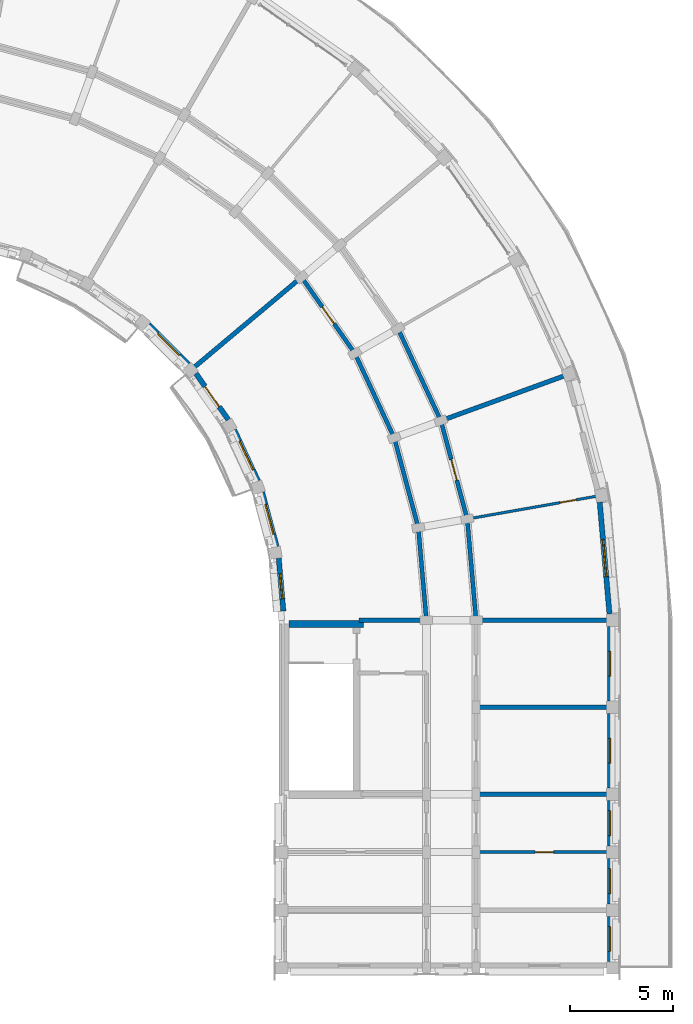
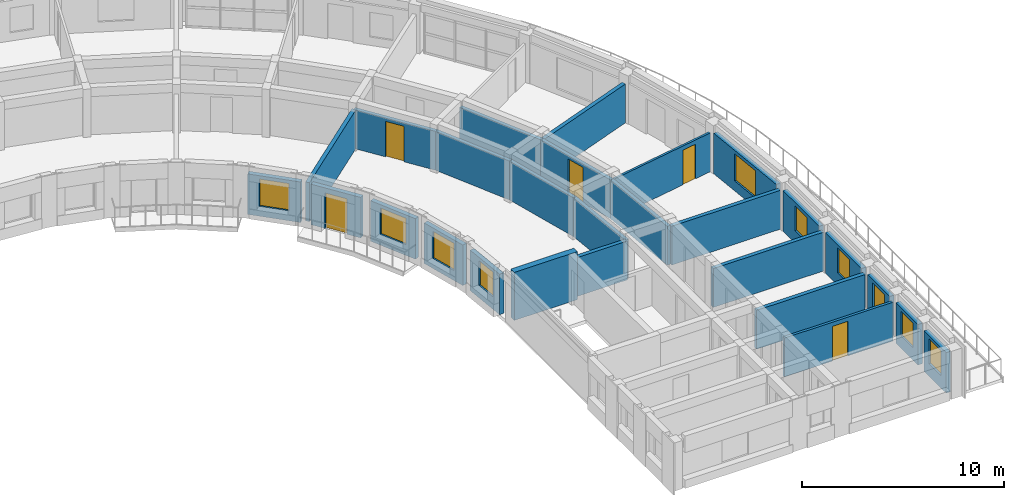
# One storey, part 20 of 32: 27 walls, 10 windows, 5 doors, 15 openings.
"""IFC4 building model written with IfcOpenShell, lengths in metres."""

from ifc_helpers import new_model, si_unit, direction, frame, frame_2d, origin, place, context, subcontext, project, spatial, rectangle, extrude, material, layer, layer_set, type_object, element, fill, save


model = new_model("IFC4")

# Units and contexts
model_context = context("Model", 3, precision=1e-05, world=origin(), true_north=direction((0.0, 1.0)))
body_context = subcontext(model_context, "Body", "Model", "MODEL_VIEW")
ifc_project = project(units=[si_unit("LENGTHUNIT", "METRE"), si_unit("AREAUNIT", "SQUARE_METRE"), si_unit("VOLUMEUNIT", "CUBIC_METRE"), si_unit("PLANEANGLEUNIT", "RADIAN"), si_unit("MASSUNIT", "GRAM", prefix="KILO")], contexts=[model_context])

# Site, building, storey
site_placement = place(None, origin())
site = spatial("IfcSite", under=ifc_project, at=site_placement, CompositionType="ELEMENT")
building_placement = place(site_placement, origin())
building = spatial("IfcBuilding", under=site, at=building_placement, Name="Kiranvali Square Residences", CompositionType="ELEMENT")
storey_placement = place(building_placement, frame((0.0, 0.0, 40.199951171875)))
storey = spatial("IfcBuildingStorey", under=building, at=storey_placement, Name="L12", CompositionType="ELEMENT", Elevation=40.199951171875)

# Wall, opening, door
ifc_material_1 = material(Name="Autoclaved aerated concrete blockwork masonry", Category="masonry")
ifc_layer_1 = layer(ifc_material_1, 0.199951171875)
ifc_layer_set_1 = layer_set([ifc_layer_1], Name="Autoclaved aerated concrete blockwork masonry")
wall_type_1 = type_object("IfcWallType", Name="WL-COR-200", PredefinedType="STANDARD", material=ifc_layer_set_1)
wall_1_placement = place(storey_placement, frame((139.56396484375, 104.384033203125, 0.0), z_axis=(0.0, 0.0, 1.0), x_axis=(0.573571637217, -0.819155404658, 0.0)))
wall_1 = element("IfcWall", 1, at=wall_1_placement, inside=storey, type_object=wall_type_1, Name="L12 architectural wall WL-L12-B-CCI-5", PredefinedType="STANDARD", context=body_context, shape_type="SweptSolid", body=[
    extrude(rectangle(XDim=4.497314453125, YDim=0.199951171875, at=frame_2d((2.24853515625, 0.0))), origin(), (0.0, 0.0, 1.0), 2.35205078125),
])
opening_1_placement = place(wall_1_placement, frame((1.74853515625, 0.0, 0.0)))
opening_1 = element("IfcOpeningElement", 2, at=opening_1_placement, cuts=wall_1, Name="Opening FD-APT-60", PredefinedType="OPENING", context=body_context, shape_type="SweptSolid", body=[
    extrude(rectangle(XDim=1.0, YDim=2.14990234375, at=frame_2d((0.5, 1.074951171875))), frame((0.0, 0.10986328125, 0.0), z_axis=(0.0, -1.0, 0.0), x_axis=(1.0, 0.0, 0.0)), (0.0, 0.0, 1.0), 0.219970703125),
])
ifc_material_2 = material(Name="Fire-rated acoustic hardwood and mineral-core door assembly", Category="wood")
door_type_1 = type_object("IfcDoorType", Name="DR-APT-1000", OperationType="NOTDEFINED", PredefinedType="DOOR", material=ifc_material_2)
door_1_placement = place(opening_1_placement, origin())
door_1 = element("IfcDoor", 3, at=door_1_placement, inside=storey, type_object=door_type_1, Name="L12 door DR-L12-1725 (DR-APT-1000)", OperationType="SINGLE_SWING_LEFT", OverallHeight=2.14990234375, OverallWidth=1.0, PredefinedType="DOOR", context=body_context, shape_type="SweptSolid", body=[
    extrude(rectangle(XDim=1.0, YDim=2.14990234375, at=frame_2d((0.5, 1.074951171875))), frame((0.0, 0.02490234375, 0.0), z_axis=(0.0, -1.0, 0.0), x_axis=(1.0, 0.0, 0.0)), (0.0, 0.0, 1.0), 0.050048828125),
])
fill(opening_1, door_1)

# Walls
wall_2_placement = place(storey_placement, frame((142.1435546875, 100.699951171875, 0.0), z_axis=(0.0, 0.0, 1.0), x_axis=(0.422617978463, -0.906307919131, 0.0)))
element("IfcWall", 4, at=wall_2_placement, inside=storey, type_object=wall_type_1, Name="L12 architectural wall WL-L12-B-CCI-6", PredefinedType="STANDARD", context=body_context, shape_type="SweptSolid", body=[
    extrude(rectangle(XDim=4.497314453125, YDim=0.199951171875, at=frame_2d((2.24853515625, 0.0))), origin(), (0.0, 0.0, 1.0), 2.35205078125),
])
wall_3_placement = place(storey_placement, frame((144.221923828125, 101.89990234375, 0.0), z_axis=(0.0, 0.0, 1.0), x_axis=(0.422629854778, -0.906302381024, 0.0)))
element("IfcWall", 5, at=wall_3_placement, inside=storey, type_object=wall_type_1, Name="L12 architectural wall WL-L12-B-CCO-6", PredefinedType="STANDARD", context=body_context, shape_type="SweptSolid", body=[
    extrude(rectangle(XDim=4.915283203125, YDim=0.199951171875, at=frame_2d((2.45751953125, 0.0))), origin(), (0.0, 0.0, 1.0), 2.35205078125),
])
wall_4_placement = place(storey_placement, frame((144.044189453125, 96.6240234375, 0.0), z_axis=(0.0, 0.0, 1.0), x_axis=(0.258787642463, -0.965934240054, 0.0)))
element("IfcWall", 6, at=wall_4_placement, inside=storey, type_object=wall_type_1, Name="L12 architectural wall WL-L12-B-CCI-7", PredefinedType="STANDARD", context=body_context, shape_type="SweptSolid", body=[
    extrude(rectangle(XDim=4.497314453125, YDim=0.199951171875, at=frame_2d((2.24853515625, 0.0))), origin(), (0.0, 0.0, 1.0), 2.35205078125),
])

# Wall, opening, door
wall_5_placement = place(storey_placement, frame((146.29931640625, 97.445068359375, 0.0), z_axis=(0.0, 0.0, 1.0), x_axis=(0.258803112091, -0.965930095386, 0.0)))
wall_5 = element("IfcWall", 7, at=wall_5_placement, inside=storey, type_object=wall_type_1, Name="L12 architectural wall WL-L12-B-CCO-7", PredefinedType="STANDARD", context=body_context, shape_type="SweptSolid", body=[
    extrude(rectangle(XDim=4.915771484375, YDim=0.199951171875, at=frame_2d((2.4580078125, 0.0))), origin(), (0.0, 0.0, 1.0), 2.35205078125),
])
opening_2_placement = place(wall_5_placement, frame((1.937744140625, 0.0, 0.0)))
opening_2 = element("IfcOpeningElement", 8, at=opening_2_placement, cuts=wall_5, Name="Opening FD-APT-60B", PredefinedType="OPENING", context=body_context, shape_type="SweptSolid", body=[
    extrude(rectangle(XDim=1.0400390625, YDim=2.14990234375, at=frame_2d((0.52001953125, 1.074951171875))), frame((0.0, 0.10986328125, 0.0), z_axis=(0.0, -1.0, 0.0), x_axis=(1.0, 0.0, 0.0)), (0.0, 0.0, 1.0), 0.219970703125),
])
door_type_2 = type_object("IfcDoorType", Name="DR-APT-1040", OperationType="NOTDEFINED", PredefinedType="DOOR", material=ifc_material_2)
door_2_placement = place(opening_2_placement, frame((1.0400390625, 0.0, 0.0), z_axis=(0.0, 0.0, 1.0), x_axis=(-1.0, 0.0, 0.0)))
door_2 = element("IfcDoor", 9, at=door_2_placement, inside=storey, type_object=door_type_2, Name="L12 door DR-L12-1722 (DR-APT-1040)", OperationType="SINGLE_SWING_RIGHT", OverallHeight=2.14990234375, OverallWidth=1.0400390625, PredefinedType="DOOR", context=body_context, shape_type="SweptSolid", body=[
    extrude(rectangle(XDim=1.0400390625, YDim=2.14990234375, at=frame_2d((0.52001953125, 1.074951171875))), frame((0.0, 0.02490234375, 0.0), z_axis=(0.0, -1.0, 0.0), x_axis=(1.0, 0.0, 0.0)), (0.0, 0.0, 1.0), 0.050048828125),
])
fill(opening_2, door_2)

# Walls
wall_6_placement = place(storey_placement, frame((145.2080078125, 92.280029296875, 0.0), z_axis=(0.0, 0.0, 1.0), x_axis=(0.087187153726, -0.996191949488, 0.0)))
element("IfcWall", 10, at=wall_6_placement, inside=storey, type_object=wall_type_1, Name="L12 architectural wall WL-L12-B-CCI-8", PredefinedType="STANDARD", context=body_context, shape_type="SweptSolid", body=[
    extrude(rectangle(XDim=4.4970703125, YDim=0.199951171875, at=frame_2d((2.24853515625, 0.0))), origin(), (0.0, 0.0, 1.0), 2.35205078125),
])
wall_7_placement = place(storey_placement, frame((147.571533203125, 92.69677734375, 0.0), z_axis=(0.0, 0.0, 1.0), x_axis=(0.087167566415, -0.996193663584, 0.0)))
element("IfcWall", 11, at=wall_7_placement, inside=storey, type_object=wall_type_1, Name="L12 architectural wall WL-L12-B-CCO-8", PredefinedType="STANDARD", context=body_context, shape_type="SweptSolid", body=[
    extrude(rectangle(XDim=4.91552734375, YDim=0.199951171875, at=frame_2d((2.457763671875, 0.0))), origin(), (0.0, 0.0, 1.0), 2.35205078125),
])
ifc_layer_2 = layer(ifc_material_1, 0.219970703125)
ifc_layer_set_2 = layer_set([ifc_layer_2], Name="Autoclaved aerated concrete blockwork masonry")
wall_type_2 = type_object("IfcWallType", Name="WL-DEM-220", PredefinedType="STANDARD", material=ifc_layer_set_2)
wall_8_placement = place(storey_placement, frame((134.354736328125, 100.012939453125, 0.0), z_axis=(0.0, 0.0, 1.0), x_axis=(0.766046761698, 0.642784846501, 0.0)))
element("IfcWall", 12, at=wall_8_placement, inside=storey, type_object=wall_type_2, Name="L12 architectural wall WL-L12-B-RADI-5", PredefinedType="STANDARD", context=body_context, shape_type="SweptSolid", body=[
    extrude(rectangle(XDim=6.75, YDim=0.219970703125, at=frame_2d((3.375, 0.0))), origin(), (0.0, 0.0, 1.0), 2.35205078125),
])
wall_9_placement = place(storey_placement, frame((146.393310546875, 97.479248046875, 0.0), z_axis=(0.0, 0.0, 1.0), x_axis=(0.939702855871, 0.341992021352, 0.0)))
element("IfcWall", 13, at=wall_9_placement, inside=storey, type_object=wall_type_2, Name="L12 architectural wall WL-L12-B-RADO-7", PredefinedType="STANDARD", context=body_context, shape_type="SweptSolid", body=[
    extrude(rectangle(XDim=6.219970703125, YDim=0.219970703125, at=frame_2d((3.10986328125, 0.0))), origin(), (0.0, 0.0, 1.0), 2.35205078125),
])
wall_10_placement = place(storey_placement, frame((142.35009765625, 87.800048828125, 0.0), z_axis=(0.0, 0.0, 1.0), x_axis=(1.0, 0.0, 0.0)))
element("IfcWall", 14, at=wall_10_placement, inside=storey, type_object=wall_type_2, Name="L12 architectural wall WL-L12-B-RADI-9", PredefinedType="STANDARD", context=body_context, shape_type="SweptSolid", body=[
    extrude(rectangle(XDim=3.199951171875, YDim=0.219970703125, at=frame_2d((1.60009765625, 0.0))), origin(), (0.0, 0.0, 1.0), 2.35205078125),
])
wall_11_placement = place(storey_placement, frame((148.10009765625, 87.800048828125, 0.0), z_axis=(0.0, 0.0, 1.0), x_axis=(1.0, 0.0, 0.0)))
element("IfcWall", 15, at=wall_11_placement, inside=storey, type_object=wall_type_2, Name="L12 architectural wall WL-L12-B-RADO-9", PredefinedType="STANDARD", context=body_context, shape_type="SweptSolid", body=[
    extrude(rectangle(XDim=6.219970703125, YDim=0.219970703125, at=frame_2d((3.10986328125, 0.0))), origin(), (0.0, 0.0, 1.0), 2.35205078125),
])
wall_12_placement = place(storey_placement, frame((148.050048828125, 83.60009765625, 0.0), z_axis=(0.0, 0.0, 1.0), x_axis=(1.0, 0.0, 0.0)))
element("IfcWall", 16, at=wall_12_placement, inside=storey, type_object=wall_type_2, Name="L12 architectural wall WL-L12-B-A2CF-MID", PredefinedType="STANDARD", context=body_context, shape_type="SweptSolid", body=[
    extrude(rectangle(XDim=6.329833984375, YDim=0.219970703125, at=frame_2d((3.1650390625, 0.0))), origin(), (0.0, 0.0, 1.0), 2.35205078125),
])
wall_13_placement = place(storey_placement, frame((148.10009765625, 79.39990234375, 0.0), z_axis=(0.0, 0.0, 1.0), x_axis=(1.0, 0.0, 0.0)))
element("IfcWall", 17, at=wall_13_placement, inside=storey, type_object=wall_type_2, Name="L12 architectural wall WL-L12-B-A2TO-0", PredefinedType="STANDARD", context=body_context, shape_type="SweptSolid", body=[
    extrude(rectangle(XDim=6.219970703125, YDim=0.219970703125, at=frame_2d((3.10986328125, 0.0))), origin(), (0.0, 0.0, 1.0), 2.35205078125),
])

# Wall, opening, window
ifc_material_3 = material(Name="Breathable lime-rendered clay brick masonry", Category="masonry")
ifc_layer_3 = layer(ifc_material_3, 0.25)
ifc_layer_set_3 = layer_set([ifc_layer_3], Name="Breathable lime-rendered clay brick masonry")
wall_type_3 = type_object("IfcWallType", Name="WL-EXT-250", PredefinedType="STANDARD", material=ifc_layer_set_3)
wall_14_placement = place(storey_placement, frame((153.97509765625, 93.507568359375, 0.0), z_axis=(0.0, 0.0, 1.0), x_axis=(0.087156882352, -0.996194598389, 0.0)))
wall_14 = element("IfcWall", 18, at=wall_14_placement, inside=storey, type_object=wall_type_3, Name="L12 exterior wall B-L12-CRV-08", PredefinedType="STANDARD", context=body_context, shape_type="SweptSolid", body=[
    extrude(rectangle(XDim=5.41455078125, YDim=0.25, at=frame_2d((2.707275390625, 0.0))), origin(), (0.0, 0.0, 1.0), 2.4521484375),
])
opening_3_placement = place(wall_14_placement, frame((1.807373046875, 0.0, 0.60205078125)))
opening_3 = element("IfcOpeningElement", 19, at=opening_3_placement, cuts=wall_14, Name="Opening W-04", PredefinedType="OPENING", context=body_context, shape_type="SweptSolid", body=[
    extrude(rectangle(XDim=1.800048828125, YDim=1.64990234375, at=frame_2d((0.89990234375, 0.824951171875))), frame((0.0, 0.135009765625, 0.0), z_axis=(0.0, -1.0, 0.0), x_axis=(1.0, 0.0, 0.0)), (0.0, 0.0, 1.0), 0.27001953125),
])
ifc_material_4 = material(Name="Solar-control low-e double glazing", Category="glass")
window_type_1 = type_object("IfcWindowType", Name="WIN-RES-1800x1650", PartitioningType="DOUBLE_PANEL_VERTICAL", PredefinedType="WINDOW", material=ifc_material_4)
window_1_placement = place(opening_3_placement, origin())
window_1 = element("IfcWindow", 20, at=window_1_placement, inside=storey, type_object=window_type_1, Name="L12 recessed window B-L12-CRV-08", OverallHeight=1.64990234375, OverallWidth=1.800048828125, PartitioningType="DOUBLE_PANEL_VERTICAL", PredefinedType="WINDOW", context=body_context, shape_type="SweptSolid", body=[
    extrude(rectangle(XDim=1.800048828125, YDim=1.64990234375, at=frame_2d((0.89990234375, 0.824951171875))), frame((0.0, 0.030029296875, 0.0), z_axis=(0.0, -1.0, 0.0), x_axis=(1.0, 0.0, 0.0)), (0.0, 0.0, 1.0), 0.06005859375),
])
fill(opening_3, window_1)

wall_15_placement = place(storey_placement, frame((132.169921875, 102.093017578125, 0.0), z_axis=(0.0, 0.0, 1.0), x_axis=(0.707106781187, -0.707106781187, 0.0)))
wall_15 = element("IfcWall", 21, at=wall_15_placement, inside=storey, type_object=wall_type_3, Name="L12 exterior wall B-L12-GDN-04", PredefinedType="STANDARD", context=body_context, shape_type="SweptSolid", body=[
    extrude(rectangle(XDim=2.7197265625, YDim=0.25, at=frame_2d((1.35986328125, 0.0))), origin(), (0.0, 0.0, 1.0), 2.4521484375),
])
opening_4_placement = place(wall_15_placement, frame((0.60986328125, 0.0, 0.60205078125)))
opening_4 = element("IfcOpeningElement", 22, at=opening_4_placement, cuts=wall_15, Name="Opening W-05", PredefinedType="OPENING", context=body_context, shape_type="SweptSolid", body=[
    extrude(rectangle(XDim=1.5, YDim=1.64990234375, at=frame_2d((0.75, 0.824951171875))), frame((0.0, 0.135009765625, 0.0), z_axis=(0.0, -1.0, 0.0), x_axis=(1.0, 0.0, 0.0)), (0.0, 0.0, 1.0), 0.27001953125),
])
window_type_2 = type_object("IfcWindowType", Name="WIN-RES-1500x1650", PartitioningType="DOUBLE_PANEL_VERTICAL", PredefinedType="WINDOW", material=ifc_material_4)
window_2_placement = place(opening_4_placement, origin())
window_2 = element("IfcWindow", 23, at=window_2_placement, inside=storey, type_object=window_type_2, Name="L12 recessed window B-L12-GDN-04", OverallHeight=1.64990234375, OverallWidth=1.5, PartitioningType="DOUBLE_PANEL_VERTICAL", PredefinedType="WINDOW", context=body_context, shape_type="SweptSolid", body=[
    extrude(rectangle(XDim=1.5, YDim=1.64990234375, at=frame_2d((0.75, 0.824951171875))), frame((0.0, 0.030029296875, 0.0), z_axis=(0.0, -1.0, 0.0), x_axis=(1.0, 0.0, 0.0)), (0.0, 0.0, 1.0), 0.06005859375),
])
fill(opening_4, window_2)

# Wall, opening, door
wall_16_placement = place(storey_placement, frame((134.4638671875, 99.727783203125, 0.0), z_axis=(0.0, 0.0, 1.0), x_axis=(0.573612950921, -0.819126475299, 0.0)))
wall_16 = element("IfcWall", 24, at=wall_16_placement, inside=storey, type_object=wall_type_3, Name="L12 exterior wall B-L12-GDN-05", PredefinedType="STANDARD", context=body_context, shape_type="SweptSolid", body=[
    extrude(rectangle(XDim=2.7197265625, YDim=0.25, at=frame_2d((1.35986328125, 0.0))), origin(), (0.0, 0.0, 1.0), 2.4521484375),
])
opening_5_placement = place(wall_16_placement, frame((0.759765625, 0.0, 0.0)))
opening_5 = element("IfcOpeningElement", 25, at=opening_5_placement, cuts=wall_16, Name="Opening ED-BAL-1", PredefinedType="OPENING", context=body_context, shape_type="SweptSolid", body=[
    extrude(rectangle(XDim=1.199951171875, YDim=2.14990234375, at=frame_2d((0.60009765625, 1.074951171875))), frame((0.0, 0.135009765625, 0.0), z_axis=(0.0, -1.0, 0.0), x_axis=(1.0, 0.0, 0.0)), (0.0, 0.0, 1.0), 0.27001953125),
])
ifc_material_5 = material(Name="Anodised bronze aluminium framing", Category="aluminium")
door_type_3 = type_object("IfcDoorType", Name="DR-BAL-1200", OperationType="NOTDEFINED", PredefinedType="DOOR", material=ifc_material_5)
door_3_placement = place(opening_5_placement, frame((1.199951171875, 0.0, 0.0), z_axis=(0.0, 0.0, 1.0), x_axis=(-1.0, 0.0, 0.0)))
door_3 = element("IfcDoor", 26, at=door_3_placement, inside=storey, type_object=door_type_3, Name="L12 balcony terrace door", OperationType="SINGLE_SWING_LEFT", OverallHeight=2.14990234375, OverallWidth=1.199951171875, PredefinedType="DOOR", context=body_context, shape_type="SweptSolid", body=[
    extrude(rectangle(XDim=1.199951171875, YDim=2.14990234375, at=frame_2d((0.60009765625, 1.074951171875))), frame((0.0, 0.02490234375, 0.0), z_axis=(0.0, -1.0, 0.0), x_axis=(1.0, 0.0, 0.0)), (0.0, 0.0, 1.0), 0.050048828125),
])
fill(opening_5, door_3)

# Wall, opening, window
wall_17_placement = place(storey_placement, frame((136.312255859375, 97.000244140625, 0.0), z_axis=(0.0, 0.0, 1.0), x_axis=(0.422629903269, -0.906302358412, 0.0)))
wall_17 = element("IfcWall", 27, at=wall_17_placement, inside=storey, type_object=wall_type_3, Name="L12 exterior wall B-L12-GDN-06", PredefinedType="STANDARD", context=body_context, shape_type="SweptSolid", body=[
    extrude(rectangle(XDim=2.7197265625, YDim=0.25, at=frame_2d((1.35986328125, 0.0))), origin(), (0.0, 0.0, 1.0), 2.4521484375),
])
opening_6_placement = place(wall_17_placement, frame((0.5849609375, 0.0, 0.652099609375)))
opening_6 = element("IfcOpeningElement", 28, at=opening_6_placement, cuts=wall_17, Name="Opening W-18", PredefinedType="OPENING", context=body_context, shape_type="SweptSolid", body=[
    extrude(rectangle(XDim=1.550048828125, YDim=1.60009765625, at=frame_2d((0.77490234375, 0.800048828125))), frame((0.0, 0.135009765625, 0.0), z_axis=(0.0, -1.0, 0.0), x_axis=(1.0, 0.0, 0.0)), (0.0, 0.0, 1.0), 0.27001953125),
])
window_type_3 = type_object("IfcWindowType", Name="WIN-GDN-1550x1600", PartitioningType="DOUBLE_PANEL_VERTICAL", PredefinedType="WINDOW", material=ifc_material_4)
window_3_placement = place(opening_6_placement, origin())
window_3 = element("IfcWindow", 29, at=window_3_placement, inside=storey, type_object=window_type_3, Name="L12 recessed window B-L12-GDN-06", OverallHeight=1.60009765625, OverallWidth=1.550048828125, PartitioningType="DOUBLE_PANEL_VERTICAL", PredefinedType="WINDOW", context=body_context, shape_type="SweptSolid", body=[
    extrude(rectangle(XDim=1.550048828125, YDim=1.60009765625, at=frame_2d((0.77490234375, 0.800048828125))), frame((0.0, 0.030029296875, 0.0), z_axis=(0.0, -1.0, 0.0), x_axis=(1.0, 0.0, 0.0)), (0.0, 0.0, 1.0), 0.06005859375),
])
fill(opening_6, window_3)

wall_18_placement = place(storey_placement, frame((137.6591796875, 93.9931640625, 0.0), z_axis=(0.0, 0.0, 1.0), x_axis=(0.258807879411, -0.965928818058, 0.0)))
wall_18 = element("IfcWall", 30, at=wall_18_placement, inside=storey, type_object=wall_type_3, Name="L12 exterior wall B-L12-GDN-07", PredefinedType="STANDARD", context=body_context, shape_type="SweptSolid", body=[
    extrude(rectangle(XDim=2.7197265625, YDim=0.25, at=frame_2d((1.35986328125, 0.0))), origin(), (0.0, 0.0, 1.0), 2.4521484375),
])
opening_7_placement = place(wall_18_placement, frame((0.60986328125, 0.0, 0.60205078125)))
opening_7 = element("IfcOpeningElement", 31, at=opening_7_placement, cuts=wall_18, Name="Opening W-05", PredefinedType="OPENING", context=body_context, shape_type="SweptSolid", body=[
    extrude(rectangle(XDim=1.5, YDim=1.64990234375, at=frame_2d((0.75, 0.824951171875))), frame((0.0, 0.135009765625, 0.0), z_axis=(0.0, -1.0, 0.0), x_axis=(1.0, 0.0, 0.0)), (0.0, 0.0, 1.0), 0.27001953125),
])
window_4_placement = place(opening_7_placement, origin())
window_4 = element("IfcWindow", 32, at=window_4_placement, inside=storey, type_object=window_type_2, Name="L12 recessed window B-L12-GDN-07", OverallHeight=1.64990234375, OverallWidth=1.5, PartitioningType="DOUBLE_PANEL_VERTICAL", PredefinedType="WINDOW", context=body_context, shape_type="SweptSolid", body=[
    extrude(rectangle(XDim=1.5, YDim=1.64990234375, at=frame_2d((0.75, 0.824951171875))), frame((0.0, 0.030029296875, 0.0), z_axis=(0.0, -1.0, 0.0), x_axis=(1.0, 0.0, 0.0)), (0.0, 0.0, 1.0), 0.06005859375),
])
fill(opening_7, window_4)

wall_19_placement = place(storey_placement, frame((138.463134765625, 90.7978515625, 0.0), z_axis=(0.0, 0.0, 1.0), x_axis=(0.087222589008, -0.996188847542, 0.0)))
wall_19 = element("IfcWall", 33, at=wall_19_placement, inside=storey, type_object=wall_type_3, Name="L12 exterior wall B-L12-GDN-08", PredefinedType="STANDARD", context=body_context, shape_type="SweptSolid", body=[
    extrude(rectangle(XDim=2.558349609375, YDim=0.25, at=frame_2d((1.279296875, 0.0))), origin(), (0.0, 0.0, 1.0), 2.4521484375),
])
opening_8_placement = place(wall_19_placement, frame((0.759765625, 0.0, 0.751953125)))
opening_8 = element("IfcOpeningElement", 34, at=opening_8_placement, cuts=wall_19, Name="Opening W-06", PredefinedType="OPENING", context=body_context, shape_type="SweptSolid", body=[
    extrude(rectangle(XDim=1.199951171875, YDim=1.5, at=frame_2d((0.60009765625, 0.75))), frame((0.0, 0.135009765625, 0.0), z_axis=(0.0, -1.0, 0.0), x_axis=(1.0, 0.0, 0.0)), (0.0, 0.0, 1.0), 0.27001953125),
])
window_type_4 = type_object("IfcWindowType", Name="WIN-RES-1200x1500", PartitioningType="SINGLE_PANEL", PredefinedType="WINDOW", material=ifc_material_4)
window_5_placement = place(opening_8_placement, origin())
window_5 = element("IfcWindow", 35, at=window_5_placement, inside=storey, type_object=window_type_4, Name="L12 recessed window B-L12-GDN-08", OverallHeight=1.5, OverallWidth=1.199951171875, PartitioningType="SINGLE_PANEL", PredefinedType="WINDOW", context=body_context, shape_type="SweptSolid", body=[
    extrude(rectangle(XDim=1.199951171875, YDim=1.5, at=frame_2d((0.60009765625, 0.75))), frame((0.0, 0.030029296875, 0.0), z_axis=(0.0, -1.0, 0.0), x_axis=(1.0, 0.0, 0.0)), (0.0, 0.0, 1.0), 0.06005859375),
])
fill(opening_8, window_5)

wall_20_placement = place(storey_placement, frame((154.47509765625, 87.49658203125, 0.0), z_axis=(0.0, 0.0, 1.0), x_axis=(0.0, -1.0, 0.0)))
wall_20 = element("IfcWall", 36, at=wall_20_placement, inside=storey, type_object=wall_type_3, Name="L12 exterior wall B-L12-A2O-0", PredefinedType="STANDARD", context=body_context, shape_type="SweptSolid", body=[
    extrude(rectangle(XDim=3.593017578125, YDim=0.25, at=frame_2d((1.79638671875, 0.0))), origin(), (0.0, 0.0, 1.0), 2.4521484375),
])
opening_9_placement = place(wall_20_placement, frame((1.196533203125, 0.0, 0.751953125)))
opening_9 = element("IfcOpeningElement", 37, at=opening_9_placement, cuts=wall_20, Name="Opening W-06", PredefinedType="OPENING", context=body_context, shape_type="SweptSolid", body=[
    extrude(rectangle(XDim=1.199951171875, YDim=1.5, at=frame_2d((0.60009765625, 0.75))), frame((0.0, 0.135009765625, 0.0), z_axis=(0.0, -1.0, 0.0), x_axis=(1.0, 0.0, 0.0)), (0.0, 0.0, 1.0), 0.27001953125),
])
window_6_placement = place(opening_9_placement, origin())
window_6 = element("IfcWindow", 38, at=window_6_placement, inside=storey, type_object=window_type_4, Name="L12 recessed window B-L12-A2O-0", OverallHeight=1.5, OverallWidth=1.199951171875, PartitioningType="SINGLE_PANEL", PredefinedType="WINDOW", context=body_context, shape_type="SweptSolid", body=[
    extrude(rectangle(XDim=1.199951171875, YDim=1.5, at=frame_2d((0.60009765625, 0.75))), frame((0.0, 0.030029296875, 0.0), z_axis=(0.0, -1.0, 0.0), x_axis=(1.0, 0.0, 0.0)), (0.0, 0.0, 1.0), 0.06005859375),
])
fill(opening_9, window_6)

wall_21_placement = place(storey_placement, frame((154.47509765625, 83.29638671875, 0.0), z_axis=(0.0, 0.0, 1.0), x_axis=(0.0, -1.0, 0.0)))
wall_21 = element("IfcWall", 39, at=wall_21_placement, inside=storey, type_object=wall_type_3, Name="L12 exterior wall B-L12-A2O-1", PredefinedType="STANDARD", context=body_context, shape_type="SweptSolid", body=[
    extrude(rectangle(XDim=3.5927734375, YDim=0.25, at=frame_2d((1.79638671875, 0.0))), origin(), (0.0, 0.0, 1.0), 2.4521484375),
])
opening_10_placement = place(wall_21_placement, frame((1.196533203125, 0.0, 0.751953125)))
opening_10 = element("IfcOpeningElement", 40, at=opening_10_placement, cuts=wall_21, Name="Opening W-06", PredefinedType="OPENING", context=body_context, shape_type="SweptSolid", body=[
    extrude(rectangle(XDim=1.199951171875, YDim=1.5, at=frame_2d((0.60009765625, 0.75))), frame((0.0, 0.135009765625, 0.0), z_axis=(0.0, -1.0, 0.0), x_axis=(1.0, 0.0, 0.0)), (0.0, 0.0, 1.0), 0.27001953125),
])
window_7_placement = place(opening_10_placement, origin())
window_7 = element("IfcWindow", 41, at=window_7_placement, inside=storey, type_object=window_type_4, Name="L12 recessed window B-L12-A2O-1", OverallHeight=1.5, OverallWidth=1.199951171875, PartitioningType="SINGLE_PANEL", PredefinedType="WINDOW", context=body_context, shape_type="SweptSolid", body=[
    extrude(rectangle(XDim=1.199951171875, YDim=1.5, at=frame_2d((0.60009765625, 0.75))), frame((0.0, 0.030029296875, 0.0), z_axis=(0.0, -1.0, 0.0), x_axis=(1.0, 0.0, 0.0)), (0.0, 0.0, 1.0), 0.06005859375),
])
fill(opening_10, window_7)

wall_22_placement = place(storey_placement, frame((154.47509765625, 79.096435546875, 0.0), z_axis=(0.0, 0.0, 1.0), x_axis=(0.0, -1.0, 0.0)))
wall_22 = element("IfcWall", 42, at=wall_22_placement, inside=storey, type_object=wall_type_3, Name="L12 exterior wall B-L12-A2O-2", PredefinedType="STANDARD", context=body_context, shape_type="SweptSolid", body=[
    extrude(rectangle(XDim=2.19287109375, YDim=0.25, at=frame_2d((1.096435546875, 0.0))), origin(), (0.0, 0.0, 1.0), 2.4521484375),
])
opening_11_placement = place(wall_22_placement, frame((0.49658203125, 0.0, 0.751953125)))
opening_11 = element("IfcOpeningElement", 43, at=opening_11_placement, cuts=wall_22, Name="Opening W-06", PredefinedType="OPENING", context=body_context, shape_type="SweptSolid", body=[
    extrude(rectangle(XDim=1.199951171875, YDim=1.5, at=frame_2d((0.60009765625, 0.75))), frame((0.0, 0.135009765625, 0.0), z_axis=(0.0, -1.0, 0.0), x_axis=(1.0, 0.0, 0.0)), (0.0, 0.0, 1.0), 0.27001953125),
])
window_8_placement = place(opening_11_placement, origin())
window_8 = element("IfcWindow", 44, at=window_8_placement, inside=storey, type_object=window_type_4, Name="L12 recessed window B-L12-A2O-2", OverallHeight=1.5, OverallWidth=1.199951171875, PartitioningType="SINGLE_PANEL", PredefinedType="WINDOW", context=body_context, shape_type="SweptSolid", body=[
    extrude(rectangle(XDim=1.199951171875, YDim=1.5, at=frame_2d((0.60009765625, 0.75))), frame((0.0, 0.030029296875, 0.0), z_axis=(0.0, -1.0, 0.0), x_axis=(1.0, 0.0, 0.0)), (0.0, 0.0, 1.0), 0.06005859375),
])
fill(opening_11, window_8)

wall_23_placement = place(storey_placement, frame((154.47509765625, 76.29638671875, 0.0), z_axis=(0.0, 0.0, 1.0), x_axis=(0.0, -1.0, 0.0)))
wall_23 = element("IfcWall", 45, at=wall_23_placement, inside=storey, type_object=wall_type_3, Name="L12 exterior wall B-L12-A2O-3", PredefinedType="STANDARD", context=body_context, shape_type="SweptSolid", body=[
    extrude(rectangle(XDim=2.19287109375, YDim=0.25, at=frame_2d((1.096435546875, 0.0))), origin(), (0.0, 0.0, 1.0), 2.4521484375),
])
opening_12_placement = place(wall_23_placement, frame((0.49658203125, 0.0, 0.751953125)))
opening_12 = element("IfcOpeningElement", 46, at=opening_12_placement, cuts=wall_23, Name="Opening W-06", PredefinedType="OPENING", context=body_context, shape_type="SweptSolid", body=[
    extrude(rectangle(XDim=1.199951171875, YDim=1.5, at=frame_2d((0.60009765625, 0.75))), frame((0.0, 0.135009765625, 0.0), z_axis=(0.0, -1.0, 0.0), x_axis=(1.0, 0.0, 0.0)), (0.0, 0.0, 1.0), 0.27001953125),
])
window_9_placement = place(opening_12_placement, origin())
window_9 = element("IfcWindow", 47, at=window_9_placement, inside=storey, type_object=window_type_4, Name="L12 recessed window B-L12-A2O-3", OverallHeight=1.5, OverallWidth=1.199951171875, PartitioningType="SINGLE_PANEL", PredefinedType="WINDOW", context=body_context, shape_type="SweptSolid", body=[
    extrude(rectangle(XDim=1.199951171875, YDim=1.5, at=frame_2d((0.60009765625, 0.75))), frame((0.0, 0.030029296875, 0.0), z_axis=(0.0, -1.0, 0.0), x_axis=(1.0, 0.0, 0.0)), (0.0, 0.0, 1.0), 0.06005859375),
])
fill(opening_12, window_9)

wall_24_placement = place(storey_placement, frame((154.47509765625, 73.49658203125, 0.0), z_axis=(0.0, 0.0, 1.0), x_axis=(0.0, -1.0, 0.0)))
wall_24 = element("IfcWall", 48, at=wall_24_placement, inside=storey, type_object=wall_type_3, Name="L12 exterior wall B-L12-A2O-4", PredefinedType="STANDARD", context=body_context, shape_type="SweptSolid", body=[
    extrude(rectangle(XDim=2.193115234375, YDim=0.25, at=frame_2d((1.0966796875, 0.0))), origin(), (0.0, 0.0, 1.0), 2.4521484375),
])
opening_13_placement = place(wall_24_placement, frame((0.49658203125, 0.0, 0.751953125)))
opening_13 = element("IfcOpeningElement", 49, at=opening_13_placement, cuts=wall_24, Name="Opening W-06", PredefinedType="OPENING", context=body_context, shape_type="SweptSolid", body=[
    extrude(rectangle(XDim=1.199951171875, YDim=1.5, at=frame_2d((0.60009765625, 0.75))), frame((0.0, 0.135009765625, 0.0), z_axis=(0.0, -1.0, 0.0), x_axis=(1.0, 0.0, 0.0)), (0.0, 0.0, 1.0), 0.27001953125),
])
window_10_placement = place(opening_13_placement, origin())
window_10 = element("IfcWindow", 50, at=window_10_placement, inside=storey, type_object=window_type_4, Name="L12 recessed window B-L12-A2O-4", OverallHeight=1.5, OverallWidth=1.199951171875, PartitioningType="SINGLE_PANEL", PredefinedType="WINDOW", context=body_context, shape_type="SweptSolid", body=[
    extrude(rectangle(XDim=1.199951171875, YDim=1.5, at=frame_2d((0.60009765625, 0.75))), frame((0.0, 0.030029296875, 0.0), z_axis=(0.0, -1.0, 0.0), x_axis=(1.0, 0.0, 0.0)), (0.0, 0.0, 1.0), 0.06005859375),
])
fill(opening_13, window_10)

# Wall, opening, door
ifc_material_6 = material(Name="Acoustic gypsum board drylined partition", Category="gypsum")
ifc_layer_4 = layer(ifc_material_6, 0.125)
ifc_layer_set_4 = layer_set([ifc_layer_4], Name="Acoustic gypsum board drylined partition")
wall_type_4 = type_object("IfcWallType", Name="WL-PRT-125", PredefinedType="PARTITIONING", material=ifc_layer_set_4)
wall_25_placement = place(storey_placement, frame((147.670166015625, 92.71435546875, 0.0), z_axis=(0.0, 0.0, 1.0), x_axis=(0.98480804799, 0.173646504755, 0.0)))
wall_25 = element("IfcWall", 51, at=wall_25_placement, inside=storey, type_object=wall_type_4, Name="L12 architectural wall WL-L12-B-RADO-8", PredefinedType="PARTITIONING", context=body_context, shape_type="SweptSolid", body=[
    extrude(rectangle(XDim=6.219970703125, YDim=0.125, at=frame_2d((3.10986328125, 0.0))), origin(), (0.0, 0.0, 1.0), 2.35205078125),
])
opening_14_placement = place(wall_25_placement, frame((4.44970703125, 0.0, 0.0)))
opening_14 = element("IfcOpeningElement", 52, at=opening_14_placement, cuts=wall_25, Name="Opening ID-WET", PredefinedType="OPENING", context=body_context, shape_type="SweptSolid", body=[
    extrude(rectangle(XDim=0.800048828125, YDim=2.10009765625, at=frame_2d((0.39990234375, 1.050048828125))), frame((0.0, 0.072509765625, 0.0), z_axis=(0.0, -1.0, 0.0), x_axis=(1.0, 0.0, 0.0)), (0.0, 0.0, 1.0), 0.14501953125),
])
ifc_material_7 = material(Name="Solid seasoned teak hardwood joinery", Category="wood")
door_type_4 = type_object("IfcDoorType", Name="DR-WET-800", OperationType="NOTDEFINED", PredefinedType="DOOR", material=ifc_material_7)
door_4_placement = place(opening_14_placement, frame((0.800048828125, 0.0, 0.0), z_axis=(0.0, 0.0, 1.0), x_axis=(-1.0, 0.0, 0.0)))
door_4 = element("IfcDoor", 53, at=door_4_placement, inside=storey, type_object=door_type_4, Name="L12 door DR-L12-1718 (DR-WET-800)", OperationType="SINGLE_SWING_RIGHT", OverallHeight=2.10009765625, OverallWidth=0.800048828125, PredefinedType="DOOR", context=body_context, shape_type="SweptSolid", body=[
    extrude(rectangle(XDim=0.800048828125, YDim=2.10009765625, at=frame_2d((0.39990234375, 1.050048828125))), frame((0.0, 0.02490234375, 0.0), z_axis=(0.0, -1.0, 0.0), x_axis=(1.0, 0.0, 0.0)), (0.0, 0.0, 1.0), 0.050048828125),
])
fill(opening_14, door_4)

ifc_layer_5 = layer(ifc_material_6, 0.14990234375)
ifc_layer_set_5 = layer_set([ifc_layer_5], Name="Acoustic gypsum board drylined partition")
wall_type_5 = type_object("IfcWallType", Name="WL-PRT-150", PredefinedType="PARTITIONING", material=ifc_layer_set_5)
wall_26_placement = place(storey_placement, frame((148.10009765625, 76.60009765625, 0.0), z_axis=(0.0, 0.0, 1.0), x_axis=(1.0, 0.0, 0.0)))
wall_26 = element("IfcWall", 54, at=wall_26_placement, inside=storey, type_object=wall_type_5, Name="L12 architectural wall WL-L12-B-A2TO-1", PredefinedType="PARTITIONING", context=body_context, shape_type="SweptSolid", body=[
    extrude(rectangle(XDim=6.219970703125, YDim=0.14990234375, at=frame_2d((3.10986328125, 0.0))), origin(), (0.0, 0.0, 1.0), 2.35205078125),
])
opening_15_placement = place(wall_26_placement, frame((2.750244140625, 0.0, 0.0)))
opening_15 = element("IfcOpeningElement", 55, at=opening_15_placement, cuts=wall_26, Name="Opening ID-1", PredefinedType="OPENING", context=body_context, shape_type="SweptSolid", body=[
    extrude(rectangle(XDim=0.89990234375, YDim=2.10009765625, at=frame_2d((0.449951171875, 1.050048828125))), frame((0.0, 0.0849609375, 0.0), z_axis=(0.0, -1.0, 0.0), x_axis=(1.0, 0.0, 0.0)), (0.0, 0.0, 1.0), 0.169921875),
])
door_type_5 = type_object("IfcDoorType", Name="DR-INT-900", OperationType="NOTDEFINED", PredefinedType="DOOR", material=ifc_material_7)
door_5_placement = place(opening_15_placement, origin())
door_5 = element("IfcDoor", 56, at=door_5_placement, inside=storey, type_object=door_type_5, Name="L12 door DR-L12-1731 (DR-INT-900)", OperationType="SINGLE_SWING_LEFT", OverallHeight=2.10009765625, OverallWidth=0.89990234375, PredefinedType="DOOR", context=body_context, shape_type="SweptSolid", body=[
    extrude(rectangle(XDim=0.89990234375, YDim=2.10009765625, at=frame_2d((0.449951171875, 1.050048828125))), frame((0.0, 0.02490234375, 0.0), z_axis=(0.0, -1.0, 0.0), x_axis=(1.0, 0.0, 0.0)), (0.0, 0.0, 1.0), 0.050048828125),
])
fill(opening_15, door_5)

# Wall
ifc_material_8 = material(Name="Concrete M45 (45 MPa)", Category="concrete")
ifc_layer_6 = layer(ifc_material_8, 0.320068359375)
ifc_layer_set_6 = layer_set([ifc_layer_6], Name="Concrete M45 (45 MPa)")
wall_type_6 = type_object("IfcWallType", Name="WL-SHR-320", PredefinedType="SHEAR", material=ifc_layer_set_6)
wall_27_placement = place(storey_placement, frame((138.949951171875, 87.625, 0.0), z_axis=(0.0, 0.0, 1.0), x_axis=(1.0, 0.0, 0.0)))
element("IfcWall", 57, at=wall_27_placement, inside=storey, type_object=wall_type_6, Name="Block B core shear wall SW-B3-NEAR-L12", PredefinedType="SHEAR", context=body_context, shape_type="SweptSolid", body=[
    extrude(rectangle(XDim=3.60009765625, YDim=0.35009765625, at=frame_2d((1.800048828125, 0.0))), origin(), (0.0, 0.0, 1.0), 2.91015625),
])

save(model, "model.ifc")
